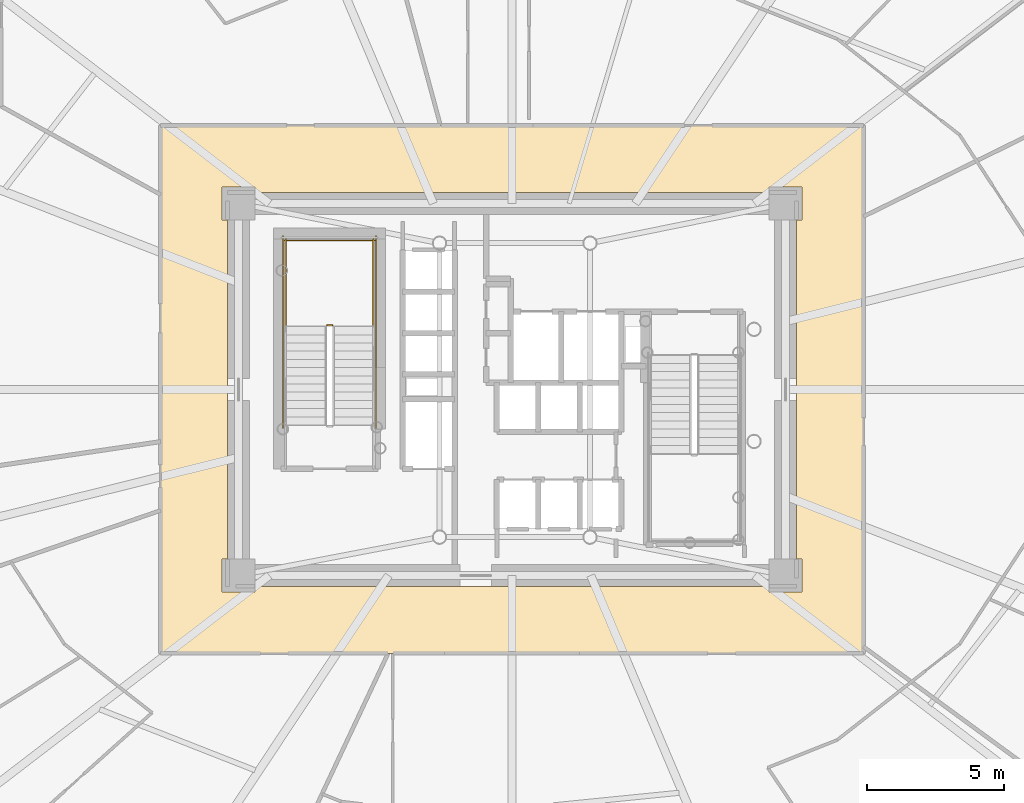
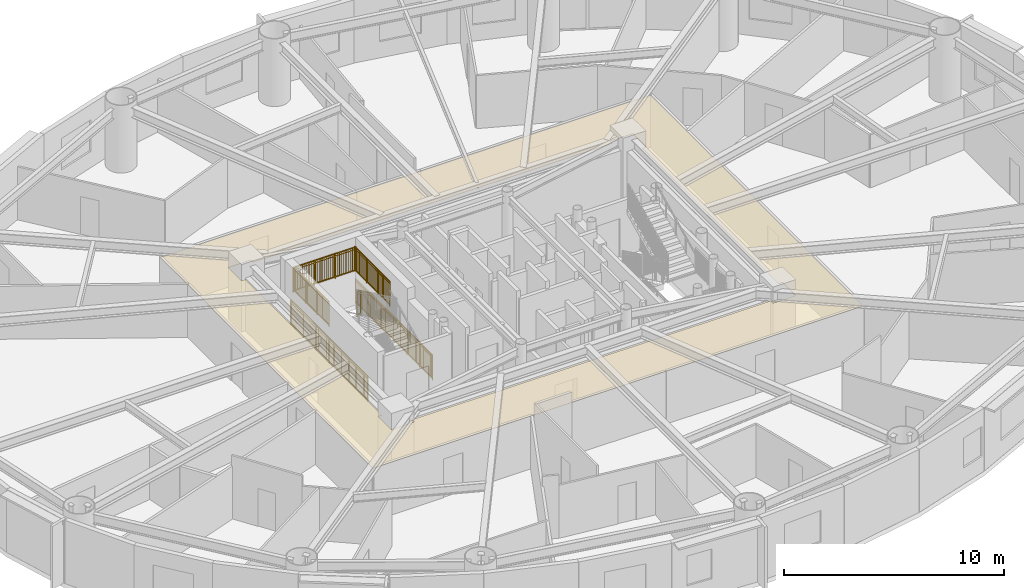
# One storey, part 13 of 16: 6 railings, 1 covering.
"""IFC4 building model written with IfcOpenShell, lengths in metres."""

from ifc_helpers import new_model, si_unit, direction, frame, origin, origin_2d, place, context, subcontext, project, spatial, polyline, rectangle, outline, extrude, source, transform, mapped, material, layer, layer_set, type_object, element, save


model = new_model("IFC4")

# Units and contexts
model_context = context("Model", 3, precision=1e-05, world=origin(), true_north=direction((0.0, 1.0)))
body_context = subcontext(model_context, "Body", "Model", "MODEL_VIEW")
ifc_project = project(units=[si_unit("LENGTHUNIT", "METRE"), si_unit("AREAUNIT", "SQUARE_METRE"), si_unit("VOLUMEUNIT", "CUBIC_METRE"), si_unit("PLANEANGLEUNIT", "RADIAN"), si_unit("MASSUNIT", "GRAM", prefix="KILO")], contexts=[model_context])

# Site, building, storey
site_placement = place(None, origin())
site = spatial("IfcSite", under=ifc_project, at=site_placement, CompositionType="ELEMENT")
building_placement = place(site_placement, origin())
building = spatial("IfcBuilding", under=site, at=building_placement, Name="Linh Dai School and Residence Tower", CompositionType="ELEMENT")
storey_placement = place(building_placement, frame((0.0, 0.0, 138.449951171875)))
storey = spatial("IfcBuildingStorey", under=building, at=storey_placement, Name="L33", CompositionType="ELEMENT", Elevation=138.449951171875)

# Covering
ifc_material_1 = material(Name="Mineral Fibre Acoustic Suspended Ceiling", Category="masonry")
ifc_layer = layer(ifc_material_1, 0.02001953125)
ifc_layer_set = layer_set([ifc_layer], Name="Mineral Fibre Acoustic Suspended Ceiling")
covering_type = type_object("IfcCoveringType", Name="COV-CEIL-AC-20", PredefinedType="CEILING", material=ifc_layer_set)
covering_placement = place(storey_placement, frame((0.0, 0.0, 2.85009765625)))
element("IfcCovering", 1, at=covering_placement, inside=storey, type_object=covering_type, Name="L33 Residential Floor Corridor Suspended Ceiling", PredefinedType="CEILING", context=body_context, shape_type="SweptSolid", body=[
    extrude(outline(polyline([(48.85009765625, 36.64990234375), (48.85009765625, 17.35009765625), (23.14990234375, 17.35009765625), (23.14990234375, 36.64990234375), (48.85009765625, 36.64990234375)]), holes=[polyline([(26.60009765625, 34.199951171875), (26.60009765625, 34.39990234375), (25.39990234375, 34.39990234375), (25.39990234375, 33.199951171875), (25.60009765625, 33.199951171875), (25.60009765625, 20.800048828125), (25.39990234375, 20.800048828125), (25.39990234375, 19.60009765625), (26.60009765625, 19.60009765625), (26.60009765625, 19.800048828125), (45.39990234375, 19.800048828125), (45.39990234375, 19.60009765625), (46.60009765625, 19.60009765625), (46.60009765625, 20.800048828125), (46.39990234375, 20.800048828125), (46.39990234375, 33.199951171875), (46.60009765625, 33.199951171875), (46.60009765625, 34.39990234375), (45.39990234375, 34.39990234375), (45.39990234375, 34.199951171875), (26.60009765625, 34.199951171875)])]), origin(), (0.0, 0.0, 1.0), 0.02001953125),
])

# Railings
ifc_material_2 = material(Name="Structural Steel S355JR", Category="steel")
railing_type = type_object("IfcRailingType", Name="RL-ST-GUARD-1400", PredefinedType="GUARDRAIL", material=ifc_material_2)
shared_shape_1 = source(origin(), body_context, "Body", "SweptSolid", [
    extrude(rectangle(XDim=0.048095703125, YDim=0.048095703125, at=origin_2d()), frame((0.0, 0.0, 1.3759765625), z_axis=(-1.0, 0.0, 0.0), x_axis=(0.0, -1.0, 0.0)), (0.0, 0.0, 1.0), 0.199951171875),
    extrude(rectangle(XDim=0.048095703125, YDim=0.048095703125, at=origin_2d()), frame((0.0, 0.0, 0.10009765625), z_axis=(-1.0, 0.0, 0.0), x_axis=(0.0, -1.0, 0.0)), (0.0, 0.0, 1.0), 0.199951171875),
    extrude(rectangle(XDim=0.030029296875, YDim=0.030029296875, at=origin_2d()), frame((0.0, 0.0, 1.239990234375), z_axis=(-1.0, 0.0, 0.0), x_axis=(0.0, -1.0, 0.0)), (0.0, 0.0, 1.0), 0.199951171875),
    extrude(rectangle(XDim=0.0419921875, YDim=0.0419921875, at=origin_2d()), origin(), (0.0, 0.0, 1.0), 1.3759765625),
    extrude(rectangle(XDim=0.0419921875, YDim=0.0419921875, at=origin_2d()), frame((-0.199951171875, 0.0, 0.0)), (0.0, 0.0, 1.0), 1.3759765625),
])
railing_1_placement = place(storey_placement, frame((29.429931640625, 29.35009765625, 1.875)))
element("IfcRailing", 2, at=railing_1_placement, inside=storey, type_object=railing_type, Name="L33 ST1 stair guard 2", PredefinedType="GUARDRAIL", context=body_context, shape_type="MappedRepresentation", body=[
    mapped(shared_shape_1, transform((0.0, 0.0, 0.0), x_axis=(1.0, 0.0, 0.0), y_axis=(0.0, 1.0, 0.0), z_axis=(0.0, 0.0, 1.0), scale=1.0)),
])
shared_shape_2 = source(origin(), body_context, "Body", "SweptSolid", [
    extrude(rectangle(XDim=0.048095703125, YDim=0.048095703125, at=origin_2d()), frame((0.0, 0.0, 1.3759765625), z_axis=(-1.0, 0.0, 0.0), x_axis=(0.0, -1.0, 0.0)), (0.0, 0.0, 1.0), 3.300048828125),
    extrude(rectangle(XDim=0.048095703125, YDim=0.048095703125, at=origin_2d()), frame((0.0, 0.0, 0.10009765625), z_axis=(-1.0, 0.0, 0.0), x_axis=(0.0, -1.0, 0.0)), (0.0, 0.0, 1.0), 3.300048828125),
    extrude(rectangle(XDim=0.030029296875, YDim=0.030029296875, at=origin_2d()), frame((0.0, 0.0, 1.239990234375), z_axis=(-1.0, 0.0, 0.0), x_axis=(0.0, -1.0, 0.0)), (0.0, 0.0, 1.0), 3.300048828125),
    extrude(rectangle(XDim=0.02001953125, YDim=0.02001953125, at=origin_2d()), frame((-0.09716796875, 0.0, 0.10009765625)), (0.0, 0.0, 1.0), 1.251708984375),
    extrude(rectangle(XDim=0.02001953125, YDim=0.02001953125, at=origin_2d()), frame((-0.194091796875, 0.0, 0.10009765625)), (0.0, 0.0, 1.0), 1.251708984375),
    extrude(rectangle(XDim=0.02001953125, YDim=0.02001953125, at=origin_2d()), frame((-0.291259765625, 0.0, 0.10009765625)), (0.0, 0.0, 1.0), 1.251708984375),
    extrude(rectangle(XDim=0.02001953125, YDim=0.02001953125, at=origin_2d()), frame((-0.38818359375, 0.0, 0.10009765625)), (0.0, 0.0, 1.0), 1.251708984375),
    extrude(rectangle(XDim=0.02001953125, YDim=0.02001953125, at=origin_2d()), frame((-0.4853515625, 0.0, 0.10009765625)), (0.0, 0.0, 1.0), 1.251708984375),
    extrude(rectangle(XDim=0.02001953125, YDim=0.02001953125, at=origin_2d()), frame((-0.582275390625, 0.0, 0.10009765625)), (0.0, 0.0, 1.0), 1.251708984375),
    extrude(rectangle(XDim=0.02001953125, YDim=0.02001953125, at=origin_2d()), frame((-0.679443359375, 0.0, 0.10009765625)), (0.0, 0.0, 1.0), 1.251708984375),
    extrude(rectangle(XDim=0.02001953125, YDim=0.02001953125, at=origin_2d()), frame((-0.7763671875, 0.0, 0.10009765625)), (0.0, 0.0, 1.0), 1.251708984375),
    extrude(rectangle(XDim=0.02001953125, YDim=0.02001953125, at=origin_2d()), frame((-0.87353515625, 0.0, 0.10009765625)), (0.0, 0.0, 1.0), 1.251708984375),
    extrude(rectangle(XDim=0.02001953125, YDim=0.02001953125, at=origin_2d()), frame((-0.970703125, 0.0, 0.10009765625)), (0.0, 0.0, 1.0), 1.251708984375),
    extrude(rectangle(XDim=0.02001953125, YDim=0.02001953125, at=origin_2d()), frame((-1.164794921875, 0.0, 0.10009765625)), (0.0, 0.0, 1.0), 1.251708984375),
    extrude(rectangle(XDim=0.02001953125, YDim=0.02001953125, at=origin_2d()), frame((-1.26171875, 0.0, 0.10009765625)), (0.0, 0.0, 1.0), 1.251708984375),
    extrude(rectangle(XDim=0.02001953125, YDim=0.02001953125, at=origin_2d()), frame((-1.35888671875, 0.0, 0.10009765625)), (0.0, 0.0, 1.0), 1.251708984375),
    extrude(rectangle(XDim=0.02001953125, YDim=0.02001953125, at=origin_2d()), frame((-1.455810546875, 0.0, 0.10009765625)), (0.0, 0.0, 1.0), 1.251708984375),
    extrude(rectangle(XDim=0.02001953125, YDim=0.02001953125, at=origin_2d()), frame((-1.552978515625, 0.0, 0.10009765625)), (0.0, 0.0, 1.0), 1.251708984375),
    extrude(rectangle(XDim=0.02001953125, YDim=0.02001953125, at=origin_2d()), frame((-1.64990234375, 0.0, 0.10009765625)), (0.0, 0.0, 1.0), 1.251708984375),
    extrude(rectangle(XDim=0.02001953125, YDim=0.02001953125, at=origin_2d()), frame((-1.7470703125, 0.0, 0.10009765625)), (0.0, 0.0, 1.0), 1.251708984375),
    extrude(rectangle(XDim=0.02001953125, YDim=0.02001953125, at=origin_2d()), frame((-1.84423828125, 0.0, 0.10009765625)), (0.0, 0.0, 1.0), 1.251708984375),
    extrude(rectangle(XDim=0.02001953125, YDim=0.02001953125, at=origin_2d()), frame((-1.941162109375, 0.0, 0.10009765625)), (0.0, 0.0, 1.0), 1.251708984375),
    extrude(rectangle(XDim=0.02001953125, YDim=0.02001953125, at=origin_2d()), frame((-2.038330078125, 0.0, 0.10009765625)), (0.0, 0.0, 1.0), 1.251708984375),
    extrude(rectangle(XDim=0.02001953125, YDim=0.02001953125, at=origin_2d()), frame((-2.13525390625, 0.0, 0.10009765625)), (0.0, 0.0, 1.0), 1.251708984375),
    extrude(rectangle(XDim=0.02001953125, YDim=0.02001953125, at=origin_2d()), frame((-2.329345703125, 0.0, 0.10009765625)), (0.0, 0.0, 1.0), 1.251708984375),
    extrude(rectangle(XDim=0.02001953125, YDim=0.02001953125, at=origin_2d()), frame((-2.426513671875, 0.0, 0.10009765625)), (0.0, 0.0, 1.0), 1.251708984375),
    extrude(rectangle(XDim=0.02001953125, YDim=0.02001953125, at=origin_2d()), frame((-2.523681640625, 0.0, 0.10009765625)), (0.0, 0.0, 1.0), 1.251708984375),
    extrude(rectangle(XDim=0.02001953125, YDim=0.02001953125, at=origin_2d()), frame((-2.62060546875, 0.0, 0.10009765625)), (0.0, 0.0, 1.0), 1.251708984375),
    extrude(rectangle(XDim=0.02001953125, YDim=0.02001953125, at=origin_2d()), frame((-2.7177734375, 0.0, 0.10009765625)), (0.0, 0.0, 1.0), 1.251708984375),
    extrude(rectangle(XDim=0.02001953125, YDim=0.02001953125, at=origin_2d()), frame((-2.814697265625, 0.0, 0.10009765625)), (0.0, 0.0, 1.0), 1.251708984375),
    extrude(rectangle(XDim=0.02001953125, YDim=0.02001953125, at=origin_2d()), frame((-2.911865234375, 0.0, 0.10009765625)), (0.0, 0.0, 1.0), 1.251708984375),
    extrude(rectangle(XDim=0.02001953125, YDim=0.02001953125, at=origin_2d()), frame((-3.0087890625, 0.0, 0.10009765625)), (0.0, 0.0, 1.0), 1.251708984375),
    extrude(rectangle(XDim=0.02001953125, YDim=0.02001953125, at=origin_2d()), frame((-3.10595703125, 0.0, 0.10009765625)), (0.0, 0.0, 1.0), 1.251708984375),
    extrude(rectangle(XDim=0.02001953125, YDim=0.02001953125, at=origin_2d()), frame((-3.202880859375, 0.0, 0.10009765625)), (0.0, 0.0, 1.0), 1.251708984375),
    extrude(rectangle(XDim=0.0419921875, YDim=0.0419921875, at=origin_2d()), origin(), (0.0, 0.0, 1.0), 1.3759765625),
    extrude(rectangle(XDim=0.0419921875, YDim=0.0419921875, at=origin_2d()), frame((-1.10009765625, 0.0, 0.0)), (0.0, 0.0, 1.0), 1.3759765625),
    extrude(rectangle(XDim=0.0419921875, YDim=0.0419921875, at=origin_2d()), frame((-2.199951171875, 0.0, 0.0)), (0.0, 0.0, 1.0), 1.3759765625),
    extrude(rectangle(XDim=0.0419921875, YDim=0.0419921875, at=origin_2d()), frame((-3.300048828125, 0.0, 0.0)), (0.0, 0.0, 1.0), 1.3759765625),
])
railing_2_placement = place(storey_placement, frame((30.97998046875, 32.449951171875, 1.875)))
element("IfcRailing", 3, at=railing_2_placement, inside=storey, type_object=railing_type, Name="L33 ST1 stair guard 5", PredefinedType="GUARDRAIL", context=body_context, shape_type="MappedRepresentation", body=[
    mapped(shared_shape_2, transform((0.0, 0.0, 0.0), x_axis=(1.0, 0.0, 0.0), y_axis=(0.0, 1.0, 0.0), z_axis=(0.0, 0.0, 1.0), scale=1.0)),
])
shared_shape_3 = source(origin(), body_context, "Body", "SweptSolid", [
    extrude(rectangle(XDim=0.048095703125, YDim=0.048095703125, at=origin_2d()), frame((0.0, 0.0, 1.3759765625), z_axis=(0.0, 1.0, 0.0), x_axis=(-1.0, 0.0, 0.0)), (0.0, 0.0, 1.0), 7.0),
    extrude(rectangle(XDim=0.048095703125, YDim=0.048095703125, at=origin_2d()), frame((0.0, 0.0, 0.10009765625), z_axis=(0.0, 1.0, 0.0), x_axis=(-1.0, 0.0, 0.0)), (0.0, 0.0, 1.0), 7.0),
    extrude(rectangle(XDim=0.030029296875, YDim=0.030029296875, at=origin_2d()), frame((0.0, 0.0, 1.239990234375), z_axis=(0.0, 1.0, 0.0), x_axis=(-1.0, 0.0, 0.0)), (0.0, 0.0, 1.0), 7.0),
    extrude(rectangle(XDim=0.02001953125, YDim=0.02001953125, at=origin_2d()), frame((0.0, 0.09716796875, 0.10009765625)), (0.0, 0.0, 1.0), 1.251708984375),
    extrude(rectangle(XDim=0.02001953125, YDim=0.02001953125, at=origin_2d()), frame((0.0, 0.1943359375, 0.10009765625)), (0.0, 0.0, 1.0), 1.251708984375),
    extrude(rectangle(XDim=0.02001953125, YDim=0.02001953125, at=origin_2d()), frame((0.0, 0.291748046875, 0.10009765625)), (0.0, 0.0, 1.0), 1.251708984375),
    extrude(rectangle(XDim=0.02001953125, YDim=0.02001953125, at=origin_2d()), frame((0.0, 0.388916015625, 0.10009765625)), (0.0, 0.0, 1.0), 1.251708984375),
    extrude(rectangle(XDim=0.02001953125, YDim=0.02001953125, at=origin_2d()), frame((0.0, 0.486083984375, 0.10009765625)), (0.0, 0.0, 1.0), 1.251708984375),
    extrude(rectangle(XDim=0.02001953125, YDim=0.02001953125, at=origin_2d()), frame((0.0, 0.583251953125, 0.10009765625)), (0.0, 0.0, 1.0), 1.251708984375),
    extrude(rectangle(XDim=0.02001953125, YDim=0.02001953125, at=origin_2d()), frame((0.0, 0.6806640625, 0.10009765625)), (0.0, 0.0, 1.0), 1.251708984375),
    extrude(rectangle(XDim=0.02001953125, YDim=0.02001953125, at=origin_2d()), frame((0.0, 0.77783203125, 0.10009765625)), (0.0, 0.0, 1.0), 1.251708984375),
    extrude(rectangle(XDim=0.02001953125, YDim=0.02001953125, at=origin_2d()), frame((0.0, 0.875, 0.10009765625)), (0.0, 0.0, 1.0), 1.251708984375),
    extrude(rectangle(XDim=0.02001953125, YDim=0.02001953125, at=origin_2d()), frame((0.0, 0.97216796875, 0.10009765625)), (0.0, 0.0, 1.0), 1.251708984375),
    extrude(rectangle(XDim=0.02001953125, YDim=0.02001953125, at=origin_2d()), frame((0.0, 1.0693359375, 0.10009765625)), (0.0, 0.0, 1.0), 1.251708984375),
    extrude(rectangle(XDim=0.02001953125, YDim=0.02001953125, at=origin_2d()), frame((0.0, 1.263916015625, 0.10009765625)), (0.0, 0.0, 1.0), 1.251708984375),
    extrude(rectangle(XDim=0.02001953125, YDim=0.02001953125, at=origin_2d()), frame((0.0, 1.361083984375, 0.10009765625)), (0.0, 0.0, 1.0), 1.251708984375),
    extrude(rectangle(XDim=0.02001953125, YDim=0.02001953125, at=origin_2d()), frame((0.0, 1.458251953125, 0.10009765625)), (0.0, 0.0, 1.0), 1.251708984375),
    extrude(rectangle(XDim=0.02001953125, YDim=0.02001953125, at=origin_2d()), frame((0.0, 1.5556640625, 0.10009765625)), (0.0, 0.0, 1.0), 1.251708984375),
    extrude(rectangle(XDim=0.02001953125, YDim=0.02001953125, at=origin_2d()), frame((0.0, 1.65283203125, 0.10009765625)), (0.0, 0.0, 1.0), 1.251708984375),
    extrude(rectangle(XDim=0.02001953125, YDim=0.02001953125, at=origin_2d()), frame((0.0, 1.75, 0.10009765625)), (0.0, 0.0, 1.0), 1.251708984375),
    extrude(rectangle(XDim=0.02001953125, YDim=0.02001953125, at=origin_2d()), frame((0.0, 1.84716796875, 0.10009765625)), (0.0, 0.0, 1.0), 1.251708984375),
    extrude(rectangle(XDim=0.02001953125, YDim=0.02001953125, at=origin_2d()), frame((0.0, 1.9443359375, 0.10009765625)), (0.0, 0.0, 1.0), 1.251708984375),
    extrude(rectangle(XDim=0.02001953125, YDim=0.02001953125, at=origin_2d()), frame((0.0, 2.041748046875, 0.10009765625)), (0.0, 0.0, 1.0), 1.251708984375),
    extrude(rectangle(XDim=0.02001953125, YDim=0.02001953125, at=origin_2d()), frame((0.0, 2.138916015625, 0.10009765625)), (0.0, 0.0, 1.0), 1.251708984375),
    extrude(rectangle(XDim=0.02001953125, YDim=0.02001953125, at=origin_2d()), frame((0.0, 2.236083984375, 0.10009765625)), (0.0, 0.0, 1.0), 1.251708984375),
    extrude(rectangle(XDim=0.02001953125, YDim=0.02001953125, at=origin_2d()), frame((0.0, 2.4306640625, 0.10009765625)), (0.0, 0.0, 1.0), 1.251708984375),
    extrude(rectangle(XDim=0.02001953125, YDim=0.02001953125, at=origin_2d()), frame((0.0, 2.52783203125, 0.10009765625)), (0.0, 0.0, 1.0), 1.251708984375),
    extrude(rectangle(XDim=0.02001953125, YDim=0.02001953125, at=origin_2d()), frame((0.0, 2.625, 0.10009765625)), (0.0, 0.0, 1.0), 1.251708984375),
    extrude(rectangle(XDim=0.02001953125, YDim=0.02001953125, at=origin_2d()), frame((0.0, 2.72216796875, 0.10009765625)), (0.0, 0.0, 1.0), 1.251708984375),
    extrude(rectangle(XDim=0.02001953125, YDim=0.02001953125, at=origin_2d()), frame((0.0, 2.8193359375, 0.10009765625)), (0.0, 0.0, 1.0), 1.251708984375),
    extrude(rectangle(XDim=0.02001953125, YDim=0.02001953125, at=origin_2d()), frame((0.0, 2.916748046875, 0.10009765625)), (0.0, 0.0, 1.0), 1.251708984375),
    extrude(rectangle(XDim=0.02001953125, YDim=0.02001953125, at=origin_2d()), frame((0.0, 3.013916015625, 0.10009765625)), (0.0, 0.0, 1.0), 1.251708984375),
    extrude(rectangle(XDim=0.02001953125, YDim=0.02001953125, at=origin_2d()), frame((0.0, 3.111083984375, 0.10009765625)), (0.0, 0.0, 1.0), 1.251708984375),
    extrude(rectangle(XDim=0.02001953125, YDim=0.02001953125, at=origin_2d()), frame((0.0, 3.208251953125, 0.10009765625)), (0.0, 0.0, 1.0), 1.251708984375),
    extrude(rectangle(XDim=0.02001953125, YDim=0.02001953125, at=origin_2d()), frame((0.0, 3.3056640625, 0.10009765625)), (0.0, 0.0, 1.0), 1.251708984375),
    extrude(rectangle(XDim=0.02001953125, YDim=0.02001953125, at=origin_2d()), frame((0.0, 3.40283203125, 0.10009765625)), (0.0, 0.0, 1.0), 1.251708984375),
    extrude(rectangle(XDim=0.02001953125, YDim=0.02001953125, at=origin_2d()), frame((0.0, 3.59716796875, 0.10009765625)), (0.0, 0.0, 1.0), 1.251708984375),
    extrude(rectangle(XDim=0.02001953125, YDim=0.02001953125, at=origin_2d()), frame((0.0, 3.6943359375, 0.10009765625)), (0.0, 0.0, 1.0), 1.251708984375),
    extrude(rectangle(XDim=0.02001953125, YDim=0.02001953125, at=origin_2d()), frame((0.0, 3.791748046875, 0.10009765625)), (0.0, 0.0, 1.0), 1.251708984375),
    extrude(rectangle(XDim=0.02001953125, YDim=0.02001953125, at=origin_2d()), frame((0.0, 3.888916015625, 0.10009765625)), (0.0, 0.0, 1.0), 1.251708984375),
    extrude(rectangle(XDim=0.02001953125, YDim=0.02001953125, at=origin_2d()), frame((0.0, 3.986083984375, 0.10009765625)), (0.0, 0.0, 1.0), 1.251708984375),
    extrude(rectangle(XDim=0.02001953125, YDim=0.02001953125, at=origin_2d()), frame((0.0, 4.083251953125, 0.10009765625)), (0.0, 0.0, 1.0), 1.251708984375),
    extrude(rectangle(XDim=0.02001953125, YDim=0.02001953125, at=origin_2d()), frame((0.0, 4.1806640625, 0.10009765625)), (0.0, 0.0, 1.0), 1.251708984375),
    extrude(rectangle(XDim=0.02001953125, YDim=0.02001953125, at=origin_2d()), frame((0.0, 4.27783203125, 0.10009765625)), (0.0, 0.0, 1.0), 1.251708984375),
    extrude(rectangle(XDim=0.02001953125, YDim=0.02001953125, at=origin_2d()), frame((0.0, 4.375, 0.10009765625)), (0.0, 0.0, 1.0), 1.251708984375),
    extrude(rectangle(XDim=0.02001953125, YDim=0.02001953125, at=origin_2d()), frame((0.0, 4.47216796875, 0.10009765625)), (0.0, 0.0, 1.0), 1.251708984375),
    extrude(rectangle(XDim=0.02001953125, YDim=0.02001953125, at=origin_2d()), frame((0.0, 4.5693359375, 0.10009765625)), (0.0, 0.0, 1.0), 1.251708984375),
    extrude(rectangle(XDim=0.02001953125, YDim=0.02001953125, at=origin_2d()), frame((0.0, 4.763916015625, 0.10009765625)), (0.0, 0.0, 1.0), 1.251708984375),
    extrude(rectangle(XDim=0.02001953125, YDim=0.02001953125, at=origin_2d()), frame((0.0, 4.861083984375, 0.10009765625)), (0.0, 0.0, 1.0), 1.251708984375),
    extrude(rectangle(XDim=0.02001953125, YDim=0.02001953125, at=origin_2d()), frame((0.0, 4.958251953125, 0.10009765625)), (0.0, 0.0, 1.0), 1.251708984375),
    extrude(rectangle(XDim=0.02001953125, YDim=0.02001953125, at=origin_2d()), frame((0.0, 5.0556640625, 0.10009765625)), (0.0, 0.0, 1.0), 1.251708984375),
    extrude(rectangle(XDim=0.02001953125, YDim=0.02001953125, at=origin_2d()), frame((0.0, 5.15283203125, 0.10009765625)), (0.0, 0.0, 1.0), 1.251708984375),
    extrude(rectangle(XDim=0.02001953125, YDim=0.02001953125, at=origin_2d()), frame((0.0, 5.25, 0.10009765625)), (0.0, 0.0, 1.0), 1.251708984375),
    extrude(rectangle(XDim=0.02001953125, YDim=0.02001953125, at=origin_2d()), frame((0.0, 5.34716796875, 0.10009765625)), (0.0, 0.0, 1.0), 1.251708984375),
    extrude(rectangle(XDim=0.02001953125, YDim=0.02001953125, at=origin_2d()), frame((0.0, 5.4443359375, 0.10009765625)), (0.0, 0.0, 1.0), 1.251708984375),
    extrude(rectangle(XDim=0.02001953125, YDim=0.02001953125, at=origin_2d()), frame((0.0, 5.541748046875, 0.10009765625)), (0.0, 0.0, 1.0), 1.251708984375),
    extrude(rectangle(XDim=0.02001953125, YDim=0.02001953125, at=origin_2d()), frame((0.0, 5.638916015625, 0.10009765625)), (0.0, 0.0, 1.0), 1.251708984375),
    extrude(rectangle(XDim=0.02001953125, YDim=0.02001953125, at=origin_2d()), frame((0.0, 5.736083984375, 0.10009765625)), (0.0, 0.0, 1.0), 1.251708984375),
    extrude(rectangle(XDim=0.02001953125, YDim=0.02001953125, at=origin_2d()), frame((0.0, 5.9306640625, 0.10009765625)), (0.0, 0.0, 1.0), 1.251708984375),
    extrude(rectangle(XDim=0.02001953125, YDim=0.02001953125, at=origin_2d()), frame((0.0, 6.02783203125, 0.10009765625)), (0.0, 0.0, 1.0), 1.251708984375),
    extrude(rectangle(XDim=0.02001953125, YDim=0.02001953125, at=origin_2d()), frame((0.0, 6.125, 0.10009765625)), (0.0, 0.0, 1.0), 1.251708984375),
    extrude(rectangle(XDim=0.02001953125, YDim=0.02001953125, at=origin_2d()), frame((0.0, 6.22216796875, 0.10009765625)), (0.0, 0.0, 1.0), 1.251708984375),
    extrude(rectangle(XDim=0.02001953125, YDim=0.02001953125, at=origin_2d()), frame((0.0, 6.3193359375, 0.10009765625)), (0.0, 0.0, 1.0), 1.251708984375),
    extrude(rectangle(XDim=0.02001953125, YDim=0.02001953125, at=origin_2d()), frame((0.0, 6.416748046875, 0.10009765625)), (0.0, 0.0, 1.0), 1.251708984375),
    extrude(rectangle(XDim=0.02001953125, YDim=0.02001953125, at=origin_2d()), frame((0.0, 6.513916015625, 0.10009765625)), (0.0, 0.0, 1.0), 1.251708984375),
    extrude(rectangle(XDim=0.02001953125, YDim=0.02001953125, at=origin_2d()), frame((0.0, 6.611083984375, 0.10009765625)), (0.0, 0.0, 1.0), 1.251708984375),
    extrude(rectangle(XDim=0.02001953125, YDim=0.02001953125, at=origin_2d()), frame((0.0, 6.708251953125, 0.10009765625)), (0.0, 0.0, 1.0), 1.251708984375),
    extrude(rectangle(XDim=0.02001953125, YDim=0.02001953125, at=origin_2d()), frame((0.0, 6.8056640625, 0.10009765625)), (0.0, 0.0, 1.0), 1.251708984375),
    extrude(rectangle(XDim=0.02001953125, YDim=0.02001953125, at=origin_2d()), frame((0.0, 6.90283203125, 0.10009765625)), (0.0, 0.0, 1.0), 1.251708984375),
    extrude(rectangle(XDim=0.0419921875, YDim=0.0419921875, at=origin_2d()), origin(), (0.0, 0.0, 1.0), 1.3759765625),
    extrude(rectangle(XDim=0.0419921875, YDim=0.0419921875, at=origin_2d()), frame((0.0, 1.166748046875, 0.0)), (0.0, 0.0, 1.0), 1.3759765625),
    extrude(rectangle(XDim=0.0419921875, YDim=0.0419921875, at=origin_2d()), frame((0.0, 2.333251953125, 0.0)), (0.0, 0.0, 1.0), 1.3759765625),
    extrude(rectangle(XDim=0.0419921875, YDim=0.0419921875, at=origin_2d()), frame((0.0, 3.5, 0.0)), (0.0, 0.0, 1.0), 1.3759765625),
    extrude(rectangle(XDim=0.0419921875, YDim=0.0419921875, at=origin_2d()), frame((0.0, 4.666748046875, 0.0)), (0.0, 0.0, 1.0), 1.3759765625),
    extrude(rectangle(XDim=0.0419921875, YDim=0.0419921875, at=origin_2d()), frame((0.0, 5.833251953125, 0.0)), (0.0, 0.0, 1.0), 1.3759765625),
    extrude(rectangle(XDim=0.0419921875, YDim=0.0419921875, at=origin_2d()), frame((0.0, 7.0, 0.0)), (0.0, 0.0, 1.0), 1.3759765625),
])
for number, where, name in (
    (4, (31.030029296875, 25.60009765625, 0.0), "L33 ST1 stair guard 10"),
    (5, (27.6298828125, 25.60009765625, 0.0), "L33 ST1 stair guard 11"),
):
    element("IfcRailing", number, at=place(storey_placement, frame(where)), inside=storey, type_object=railing_type, Name=name, PredefinedType="GUARDRAIL", context=body_context, shape_type="MappedRepresentation", body=[
        mapped(shared_shape_3, transform((0.0, 0.0, 0.0), x_axis=(1.0, 0.0, 0.0), y_axis=(0.0, 1.0, 0.0), z_axis=(0.0, 0.0, 1.0), scale=1.0)),
    ])
shared_shape_4 = source(origin(), body_context, "Body", "SweptSolid", [
    extrude(rectangle(XDim=0.048095703125, YDim=0.048095703125, at=origin_2d()), frame((0.0, 0.0, 1.3759765625), z_axis=(0.0, 1.0, 0.0), x_axis=(-1.0, 0.0, 0.0)), (0.0, 0.0, 1.0), 3.199951171875),
    extrude(rectangle(XDim=0.048095703125, YDim=0.048095703125, at=origin_2d()), frame((0.0, 0.0, 0.10009765625), z_axis=(0.0, 1.0, 0.0), x_axis=(-1.0, 0.0, 0.0)), (0.0, 0.0, 1.0), 3.199951171875),
    extrude(rectangle(XDim=0.030029296875, YDim=0.030029296875, at=origin_2d()), frame((0.0, 0.0, 1.239990234375), z_axis=(0.0, 1.0, 0.0), x_axis=(-1.0, 0.0, 0.0)), (0.0, 0.0, 1.0), 3.199951171875),
    extrude(rectangle(XDim=0.02001953125, YDim=0.02001953125, at=origin_2d()), frame((0.0, 0.096923828125, 0.10009765625)), (0.0, 0.0, 1.0), 1.251708984375),
    extrude(rectangle(XDim=0.02001953125, YDim=0.02001953125, at=origin_2d()), frame((0.0, 0.19384765625, 0.10009765625)), (0.0, 0.0, 1.0), 1.251708984375),
    extrude(rectangle(XDim=0.02001953125, YDim=0.02001953125, at=origin_2d()), frame((0.0, 0.291015625, 0.10009765625)), (0.0, 0.0, 1.0), 1.251708984375),
    extrude(rectangle(XDim=0.02001953125, YDim=0.02001953125, at=origin_2d()), frame((0.0, 0.387939453125, 0.10009765625)), (0.0, 0.0, 1.0), 1.251708984375),
    extrude(rectangle(XDim=0.02001953125, YDim=0.02001953125, at=origin_2d()), frame((0.0, 0.48486328125, 0.10009765625)), (0.0, 0.0, 1.0), 1.251708984375),
    extrude(rectangle(XDim=0.02001953125, YDim=0.02001953125, at=origin_2d()), frame((0.0, 0.581787109375, 0.10009765625)), (0.0, 0.0, 1.0), 1.251708984375),
    extrude(rectangle(XDim=0.02001953125, YDim=0.02001953125, at=origin_2d()), frame((0.0, 0.6787109375, 0.10009765625)), (0.0, 0.0, 1.0), 1.251708984375),
    extrude(rectangle(XDim=0.02001953125, YDim=0.02001953125, at=origin_2d()), frame((0.0, 0.775634765625, 0.10009765625)), (0.0, 0.0, 1.0), 1.251708984375),
    extrude(rectangle(XDim=0.02001953125, YDim=0.02001953125, at=origin_2d()), frame((0.0, 0.872802734375, 0.10009765625)), (0.0, 0.0, 1.0), 1.251708984375),
    extrude(rectangle(XDim=0.02001953125, YDim=0.02001953125, at=origin_2d()), frame((0.0, 0.9697265625, 0.10009765625)), (0.0, 0.0, 1.0), 1.251708984375),
    extrude(rectangle(XDim=0.02001953125, YDim=0.02001953125, at=origin_2d()), frame((0.0, 1.16357421875, 0.10009765625)), (0.0, 0.0, 1.0), 1.251708984375),
    extrude(rectangle(XDim=0.02001953125, YDim=0.02001953125, at=origin_2d()), frame((0.0, 1.260498046875, 0.10009765625)), (0.0, 0.0, 1.0), 1.251708984375),
    extrude(rectangle(XDim=0.02001953125, YDim=0.02001953125, at=origin_2d()), frame((0.0, 1.357666015625, 0.10009765625)), (0.0, 0.0, 1.0), 1.251708984375),
    extrude(rectangle(XDim=0.02001953125, YDim=0.02001953125, at=origin_2d()), frame((0.0, 1.45458984375, 0.10009765625)), (0.0, 0.0, 1.0), 1.251708984375),
    extrude(rectangle(XDim=0.02001953125, YDim=0.02001953125, at=origin_2d()), frame((0.0, 1.551513671875, 0.10009765625)), (0.0, 0.0, 1.0), 1.251708984375),
    extrude(rectangle(XDim=0.02001953125, YDim=0.02001953125, at=origin_2d()), frame((0.0, 1.6484375, 0.10009765625)), (0.0, 0.0, 1.0), 1.251708984375),
    extrude(rectangle(XDim=0.02001953125, YDim=0.02001953125, at=origin_2d()), frame((0.0, 1.745361328125, 0.10009765625)), (0.0, 0.0, 1.0), 1.251708984375),
    extrude(rectangle(XDim=0.02001953125, YDim=0.02001953125, at=origin_2d()), frame((0.0, 1.84228515625, 0.10009765625)), (0.0, 0.0, 1.0), 1.251708984375),
    extrude(rectangle(XDim=0.02001953125, YDim=0.02001953125, at=origin_2d()), frame((0.0, 1.939453125, 0.10009765625)), (0.0, 0.0, 1.0), 1.251708984375),
    extrude(rectangle(XDim=0.02001953125, YDim=0.02001953125, at=origin_2d()), frame((0.0, 2.036376953125, 0.10009765625)), (0.0, 0.0, 1.0), 1.251708984375),
    extrude(rectangle(XDim=0.02001953125, YDim=0.02001953125, at=origin_2d()), frame((0.0, 2.230224609375, 0.10009765625)), (0.0, 0.0, 1.0), 1.251708984375),
    extrude(rectangle(XDim=0.02001953125, YDim=0.02001953125, at=origin_2d()), frame((0.0, 2.3271484375, 0.10009765625)), (0.0, 0.0, 1.0), 1.251708984375),
    extrude(rectangle(XDim=0.02001953125, YDim=0.02001953125, at=origin_2d()), frame((0.0, 2.42431640625, 0.10009765625)), (0.0, 0.0, 1.0), 1.251708984375),
    extrude(rectangle(XDim=0.02001953125, YDim=0.02001953125, at=origin_2d()), frame((0.0, 2.521240234375, 0.10009765625)), (0.0, 0.0, 1.0), 1.251708984375),
    extrude(rectangle(XDim=0.02001953125, YDim=0.02001953125, at=origin_2d()), frame((0.0, 2.6181640625, 0.10009765625)), (0.0, 0.0, 1.0), 1.251708984375),
    extrude(rectangle(XDim=0.02001953125, YDim=0.02001953125, at=origin_2d()), frame((0.0, 2.715087890625, 0.10009765625)), (0.0, 0.0, 1.0), 1.251708984375),
    extrude(rectangle(XDim=0.02001953125, YDim=0.02001953125, at=origin_2d()), frame((0.0, 2.81201171875, 0.10009765625)), (0.0, 0.0, 1.0), 1.251708984375),
    extrude(rectangle(XDim=0.02001953125, YDim=0.02001953125, at=origin_2d()), frame((0.0, 2.908935546875, 0.10009765625)), (0.0, 0.0, 1.0), 1.251708984375),
    extrude(rectangle(XDim=0.02001953125, YDim=0.02001953125, at=origin_2d()), frame((0.0, 3.006103515625, 0.10009765625)), (0.0, 0.0, 1.0), 1.251708984375),
    extrude(rectangle(XDim=0.02001953125, YDim=0.02001953125, at=origin_2d()), frame((0.0, 3.10302734375, 0.10009765625)), (0.0, 0.0, 1.0), 1.251708984375),
    extrude(rectangle(XDim=0.0419921875, YDim=0.0419921875, at=origin_2d()), origin(), (0.0, 0.0, 1.0), 1.3759765625),
    extrude(rectangle(XDim=0.0419921875, YDim=0.0419921875, at=origin_2d()), frame((0.0, 1.066650390625, 0.0)), (0.0, 0.0, 1.0), 1.3759765625),
    extrude(rectangle(XDim=0.0419921875, YDim=0.0419921875, at=origin_2d()), frame((0.0, 2.13330078125, 0.0)), (0.0, 0.0, 1.0), 1.3759765625),
    extrude(rectangle(XDim=0.0419921875, YDim=0.0419921875, at=origin_2d()), frame((0.0, 3.199951171875, 0.0)), (0.0, 0.0, 1.0), 1.3759765625),
])
for number, where, name in (
    (6, (30.929931640625, 29.300048828125, 1.875), "L33 ST1 stair guard 3"),
    (7, (27.72998046875, 29.300048828125, 1.875), "L33 ST1 stair guard 4"),
):
    element("IfcRailing", number, at=place(storey_placement, frame(where)), inside=storey, type_object=railing_type, Name=name, PredefinedType="GUARDRAIL", context=body_context, shape_type="MappedRepresentation", body=[
        mapped(shared_shape_4, transform((0.0, 0.0, 0.0), x_axis=(1.0, 0.0, 0.0), y_axis=(0.0, 1.0, 0.0), z_axis=(0.0, 0.0, 1.0), scale=1.0)),
    ])

save(model, "model.ifc")
